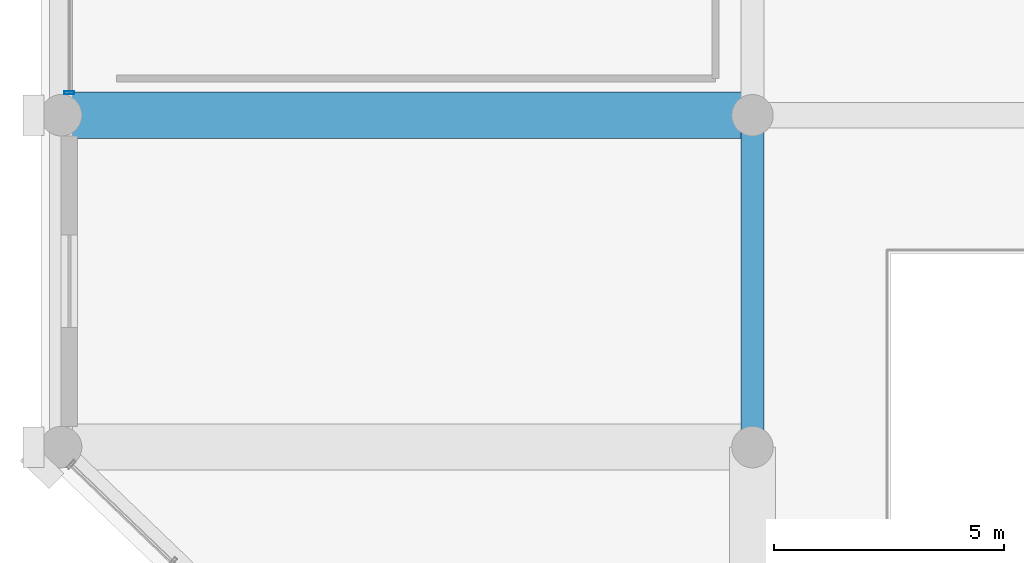
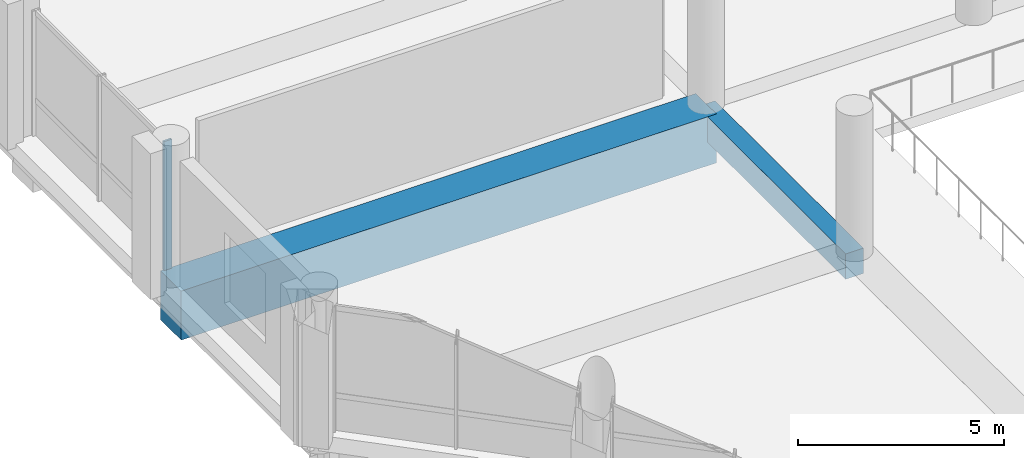
# One storey, part 12 of 68: 2 beams, 1 member, 1 element without a shape of its own.
"""IFC4 building model written with IfcOpenShell, lengths in metres."""

from ifc_helpers import new_model, si_unit, direction, frame, origin, origin_2d, place, context, subcontext, project, spatial, rectangle, hollow_rectangle, extrude, material, material_profile, profile_set, type_object, element, aggregate, save


model = new_model("IFC4")

# Units and contexts
model_context = context("Model", 3, precision=1e-05, world=origin(), true_north=direction((0.0, 1.0)))
body_context = subcontext(model_context, "Body", "Model", "MODEL_VIEW")
ifc_project = project(units=[si_unit("LENGTHUNIT", "METRE"), si_unit("AREAUNIT", "SQUARE_METRE"), si_unit("VOLUMEUNIT", "CUBIC_METRE"), si_unit("PLANEANGLEUNIT", "RADIAN"), si_unit("MASSUNIT", "GRAM", prefix="KILO")], contexts=[model_context])

# Site, building, storey
site_placement = place(None, origin())
site = spatial("IfcSite", under=ifc_project, at=site_placement, CompositionType="ELEMENT")
building_placement = place(site_placement, origin())
building = spatial("IfcBuilding", under=site, at=building_placement, Name="Akrevak Sports Hall", CompositionType="ELEMENT")
storey_placement = place(building_placement, frame((0.0, 0.0, 9.39990234375)))
storey = spatial("IfcBuildingStorey", under=building, at=storey_placement, Name="L02", CompositionType="ELEMENT", Elevation=9.39990234375)

# Curtain wall, member
ifc_material_1 = material(Name="Anodized Bronze Aluminium & Low-E Glass", Category="aluminium")
curtain_wall_type = type_object("IfcCurtainWallType", Name="ARC-CW-POD-64x42", PredefinedType="NOTDEFINED", material=ifc_material_1)
curtain_wall_placement = place(storey_placement, origin())
curtain_wall = element("IfcCurtainWall", 1, at=curtain_wall_placement, inside=storey, type_object=curtain_wall_type, Name="Curtain Wall CW-L02-W02", PredefinedType="NOTDEFINED")
ifc_material_2 = material(Name="Anodized Bronze Aluminium", Category="aluminium")
ifc_material_profile_1 = material_profile(ifc_material_2, hollow_rectangle(XDim=0.06494140625, YDim=0.219970703125, WallThickness=0.00439453125, at=origin_2d()), Name="CWM 65x220", Category="aluminium")
ifc_profile_set_1 = profile_set([ifc_material_profile_1], Name="Anodized Bronze Aluminium")
member_type = type_object("IfcMemberType", Name="ARC-CWM-70x160", PredefinedType="MULLION", material=ifc_profile_set_1)
member_placement = place(storey_placement, frame((0.179931640625, 22.090087890625, 0.0), z_axis=(0.0, 0.0, 1.0), x_axis=(0.0, -1.0, 0.0)))
member = element("IfcMember", 2, at=member_placement, type_object=member_type, Name="Curtain Wall Mullion CW-L02-W02-M3", PredefinedType="MULLION", context=body_context, shape_type="SweptSolid", body=[
    extrude(hollow_rectangle(XDim=0.06494140625, YDim=0.219970703125, WallThickness=0.00439453125, at=origin_2d()), origin(), (0.0, 0.0, 1.0), 3.820068359375),
])
aggregate(curtain_wall, [member])

# Beams
ifc_material_3 = material(Name="Concrete C50/60", Category="concrete")
ifc_material_profile_2 = material_profile(ifc_material_3, rectangle(XDim=1.0, YDim=1.449951171875, at=origin_2d()), Name="BM 1000x1450", Category="concrete")
ifc_profile_set_2 = profile_set([ifc_material_profile_2], Name="Concrete C50/60")
beam_type_1 = type_object("IfcBeamType", Name="STR-BM-LG1000x1450", PredefinedType="BEAM", material=ifc_profile_set_2)
beam_1_placement = place(storey_placement, frame((0.0, 21.60009765625, -0.724853515625), z_axis=(1.0, 0.0, 0.0), x_axis=(0.0, 1.0, 0.0)))
element("IfcBeam", 3, at=beam_1_placement, inside=storey, type_object=beam_type_1, Name="Girder D/1-3 (L02)", PredefinedType="BEAM", context=body_context, shape_type="SweptSolid", body=[
    extrude(rectangle(XDim=1.0, YDim=1.449951171875, at=origin_2d()), origin(), (0.0, 0.0, 1.0), 15.0),
])
ifc_material_4 = material(Name="Concrete C40/50", Category="concrete")
ifc_material_profile_3 = material_profile(ifc_material_4, rectangle(XDim=0.5, YDim=0.75, at=origin_2d()), Name="BM 500x750", Category="concrete")
ifc_profile_set_3 = profile_set([ifc_material_profile_3], Name="Concrete C40/50")
beam_type_2 = type_object("IfcBeamType", Name="STR-BM-RC500x750", PredefinedType="BEAM", material=ifc_profile_set_3)
beam_2_placement = place(storey_placement, frame((15.0, 14.39990234375, -0.375), z_axis=(0.0, 1.0, 0.0), x_axis=(-1.0, 0.0, 0.0)))
element("IfcBeam", 4, at=beam_2_placement, inside=storey, type_object=beam_type_2, Name="Girder 3/C-D (L02)", PredefinedType="BEAM", context=body_context, shape_type="SweptSolid", body=[
    extrude(rectangle(XDim=0.5, YDim=0.75, at=origin_2d()), origin(), (0.0, 0.0, 1.0), 7.2001953125),
])

save(model, "model.ifc")
